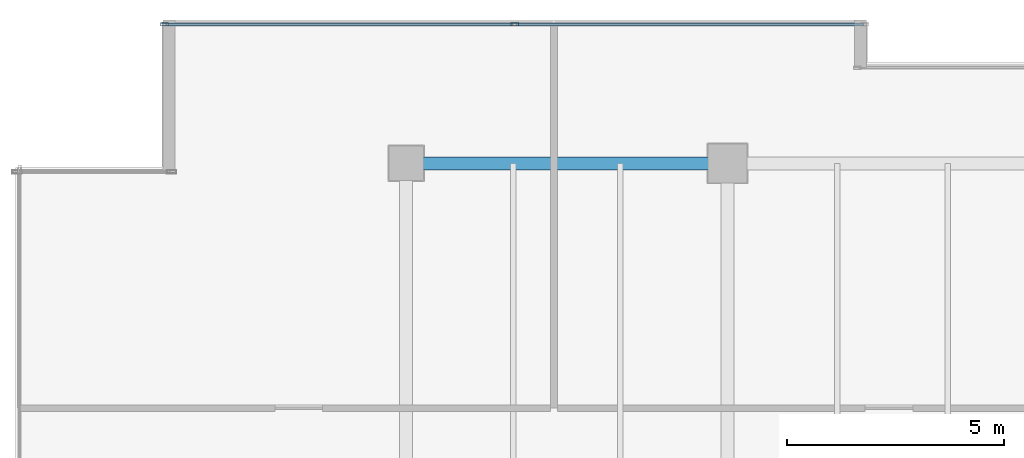
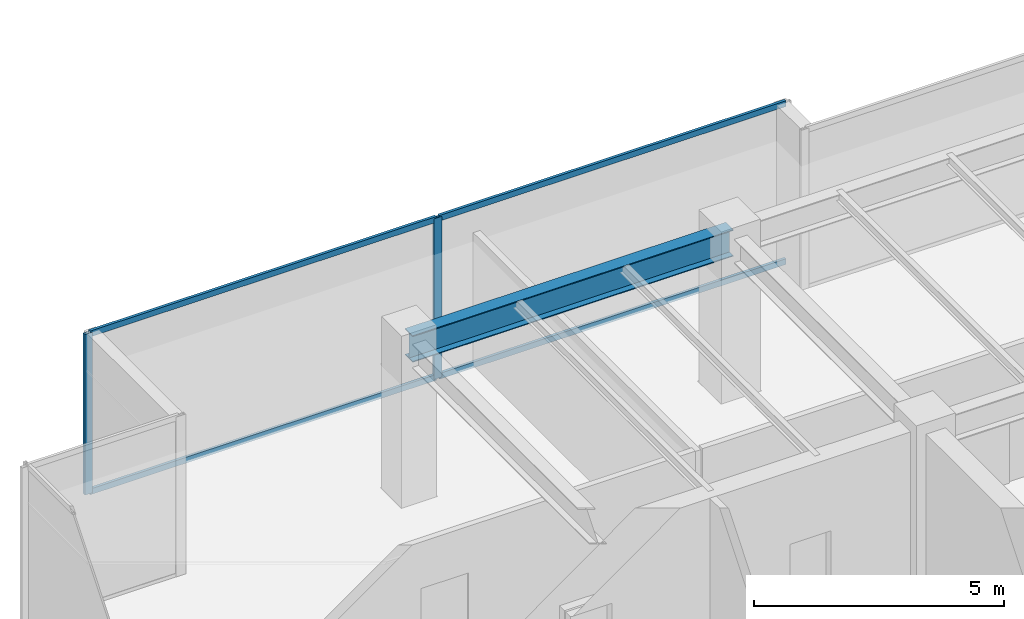
# One storey, part 20 of 34: 6 members, 1 beam, 1 element without a shape of its own.
"""IFC4 building model written with IfcOpenShell, lengths in metres."""

from ifc_helpers import new_model, si_unit, direction, frame, origin, origin_2d, place, context, subcontext, project, spatial, hollow_rectangle, i_section, extrude, source, transform, mapped, material, layer, layer_set, material_profile, profile_set, type_object, type_shapes, element, aggregate, save


model = new_model("IFC4")

# Units and contexts
model_context = context("Model", 3, precision=1e-05, world=origin(), true_north=direction((0.0, 1.0)))
body_context = subcontext(model_context, "Body", "Model", "MODEL_VIEW")
ifc_project = project(units=[si_unit("LENGTHUNIT", "METRE"), si_unit("AREAUNIT", "SQUARE_METRE"), si_unit("VOLUMEUNIT", "CUBIC_METRE"), si_unit("PLANEANGLEUNIT", "RADIAN"), si_unit("MASSUNIT", "GRAM", prefix="KILO")], contexts=[model_context])

# Site, building, storey
site_placement = place(None, origin())
site = spatial("IfcSite", under=ifc_project, at=site_placement, CompositionType="ELEMENT")
building_placement = place(site_placement, origin())
building = spatial("IfcBuilding", under=site, at=building_placement, Name="Haelvirn Gate Laboratories", CompositionType="ELEMENT")
storey_placement = place(building_placement, frame((0.0, 0.0, 322.800048828125)))
storey = spatial("IfcBuildingStorey", under=building, at=storey_placement, Name="L77", CompositionType="ELEMENT", Elevation=322.800048828125)

# Beam
ifc_material_1 = material(Name="Steel SM355", Category="steel")
ifc_material_profile_1 = material_profile(ifc_material_1, i_section(OverallWidth=0.300048828125, OverallDepth=0.64990234375, WebThickness=0.012939453125, FlangeThickness=0.02197265625, at=origin_2d()), Name="H-650x300x13x22")
ifc_profile_set_1 = profile_set([ifc_material_profile_1], Name="Steel SM355")
beam_type = type_object("IfcBeamType", Name="BM-G-650", PredefinedType="BEAM", material=ifc_profile_set_1)
shared_shape_1 = source(origin(), body_context, "Body", "SweptSolid", [
    extrude(i_section(OverallWidth=0.300048828125, OverallDepth=0.64990234375, WebThickness=0.012939453125, FlangeThickness=0.02197265625, at=origin_2d()), origin(), (0.0, 0.0, 1.0), 7.39990234375),
])
type_shapes(beam_type, [shared_shape_1])
beam_placement = place(storey_placement, frame((14.800048828125, 41.60009765625, 3.594970703125), z_axis=(1.0, 0.0, 0.0), x_axis=(0.0, 1.0, 0.0)))
element("IfcBeam", 1, at=beam_placement, inside=storey, type_object=beam_type, Name="L77 Primary Girder Y41.6 (14.8-22.2)", PredefinedType="BEAM", context=body_context, shape_type="MappedRepresentation", body=[
    mapped(shared_shape_1, transform((0.0, 0.0, 0.0), scale=1.0)),
])

# Curtain wall, members
ifc_material_2 = material(Name="Anodised bronze unitised aluminium & triple low-E glass", Category="aluminium")
ifc_layer = layer(ifc_material_2, 0.176025390625, Name="CW-SYS-4")
ifc_layer_set = layer_set([ifc_layer], Name="Anodised bronze unitised aluminium & triple low-E glass")
curtain_wall_type = type_object("IfcCurtainWallType", Name="CW-SYS-4", PredefinedType="NOTDEFINED", material=ifc_layer_set)
curtain_wall_placement = place(storey_placement, origin())
curtain_wall = element("IfcCurtainWall", 2, at=curtain_wall_placement, inside=storey, type_object=curtain_wall_type, Name="L77 Unitised Curtain Wall CW-L77-P0-E14-1", PredefinedType="NOTDEFINED")
ifc_material_3 = material(Name="Extruded aluminium 6063-T6 (anodised bronze)", Category="aluminium")
ifc_material_profile_2 = material_profile(ifc_material_3, hollow_rectangle(XDim=0.06494140625, YDim=0.139892578125, WallThickness=0.00390625, at=origin_2d()), Name="CWT-140x65x4")
ifc_profile_set_2 = profile_set([ifc_material_profile_2], Name="Extruded aluminium 6063-T6 (anodised bronze)")
member_type_1 = type_object("IfcMemberType", Name="CWT-T140", PredefinedType="USERDEFINED", material=ifc_profile_set_2)
shared_shape_2 = source(origin(), body_context, "Body", "SweptSolid", [
    extrude(hollow_rectangle(XDim=0.06494140625, YDim=0.139892578125, WallThickness=0.00390625, at=origin_2d()), origin(), (0.0, 0.0, 1.0), 7.9951171875),
])
member_1_placement = place(storey_placement, frame((17.3349609375, 44.800048828125, 0.032470703125), z_axis=(1.0, 0.0, 0.0), x_axis=(0.0, 1.0, 0.0)))
member_1 = element("IfcMember", 3, at=member_1_placement, type_object=member_type_1, Name="CW4 transom 2.1", ObjectType="TRANSOM", PredefinedType="USERDEFINED", context=body_context, shape_type="MappedRepresentation", body=[
    mapped(shared_shape_2, transform((0.0, 0.0, 0.0), scale=1.0)),
])
member_2_placement = place(storey_placement, frame((17.3349609375, 44.800048828125, 3.887451171875), z_axis=(1.0, 0.0, 0.0), x_axis=(0.0, 1.0, 0.0)))
member_2 = element("IfcMember", 4, at=member_2_placement, type_object=member_type_1, Name="CW4 transom 2.2", ObjectType="TRANSOM", PredefinedType="USERDEFINED", context=body_context, shape_type="MappedRepresentation", body=[
    mapped(shared_shape_2, transform((0.0, 0.0, 0.0), scale=1.0)),
])
shared_shape_3 = source(origin(), body_context, "Body", "SweptSolid", [
    extrude(hollow_rectangle(XDim=0.06494140625, YDim=0.139892578125, WallThickness=0.00390625, at=origin_2d()), origin(), (0.0, 0.0, 1.0), 7.994873046875),
])
type_shapes(member_type_1, [shared_shape_2, shared_shape_3])
member_3_placement = place(storey_placement, frame((9.27001953125, 44.800048828125, 0.032470703125), z_axis=(1.0, 0.0, 0.0), x_axis=(0.0, 1.0, 0.0)))
member_3 = element("IfcMember", 5, at=member_3_placement, type_object=member_type_1, Name="CW4 transom 1.1", ObjectType="TRANSOM", PredefinedType="USERDEFINED", context=body_context, shape_type="MappedRepresentation", body=[
    mapped(shared_shape_3, transform((0.0, 0.0, 0.0), scale=1.0)),
])
member_4_placement = place(storey_placement, frame((9.27001953125, 44.800048828125, 3.887451171875), z_axis=(1.0, 0.0, 0.0), x_axis=(0.0, 1.0, 0.0)))
member_4 = element("IfcMember", 6, at=member_4_placement, type_object=member_type_1, Name="CW4 transom 1.2", ObjectType="TRANSOM", PredefinedType="USERDEFINED", context=body_context, shape_type="MappedRepresentation", body=[
    mapped(shared_shape_3, transform((0.0, 0.0, 0.0), scale=1.0)),
])
ifc_material_profile_3 = material_profile(ifc_material_3, hollow_rectangle(XDim=0.070068359375, YDim=0.179931640625, WallThickness=0.0048828125, at=origin_2d()), Name="CWM-180x70x5")
ifc_profile_set_3 = profile_set([ifc_material_profile_3], Name="Extruded aluminium 6063-T6 (anodised bronze)")
member_type_2 = type_object("IfcMemberType", Name="CWM-T180", PredefinedType="MULLION", material=ifc_profile_set_3)
shared_shape_4 = source(origin(), body_context, "Body", "SweptSolid", [
    extrude(hollow_rectangle(XDim=0.070068359375, YDim=0.179931640625, WallThickness=0.0048828125, at=origin_2d()), origin(), (0.0, 0.0, 1.0), 3.919921875),
])
type_shapes(member_type_2, [shared_shape_4])
member_5_placement = place(storey_placement, frame((9.235107421875, 44.800048828125, 0.0), z_axis=(0.0, 0.0, 1.0), x_axis=(0.0, 1.0, 0.0)))
member_5 = element("IfcMember", 7, at=member_5_placement, type_object=member_type_2, Name="CW4 mullion 1", PredefinedType="MULLION", context=body_context, shape_type="MappedRepresentation", body=[
    mapped(shared_shape_4, transform((0.0, 0.0, 0.0), scale=1.0)),
])
member_6_placement = place(storey_placement, frame((17.300048828125, 44.800048828125, 0.0), z_axis=(0.0, 0.0, 1.0), x_axis=(0.0, 1.0, 0.0)))
member_6 = element("IfcMember", 8, at=member_6_placement, type_object=member_type_2, Name="CW4 mullion 2", PredefinedType="MULLION", context=body_context, shape_type="MappedRepresentation", body=[
    mapped(shared_shape_4, transform((0.0, 0.0, 0.0), scale=1.0)),
])
aggregate(curtain_wall, [member_5, member_6, member_3, member_4, member_1, member_2])

save(model, "model.ifc")
